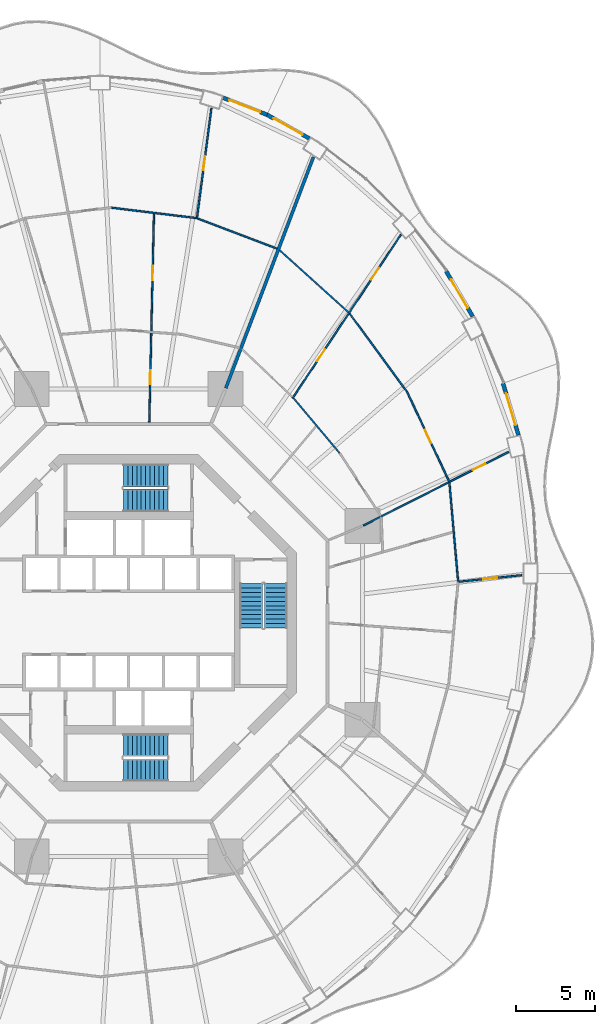
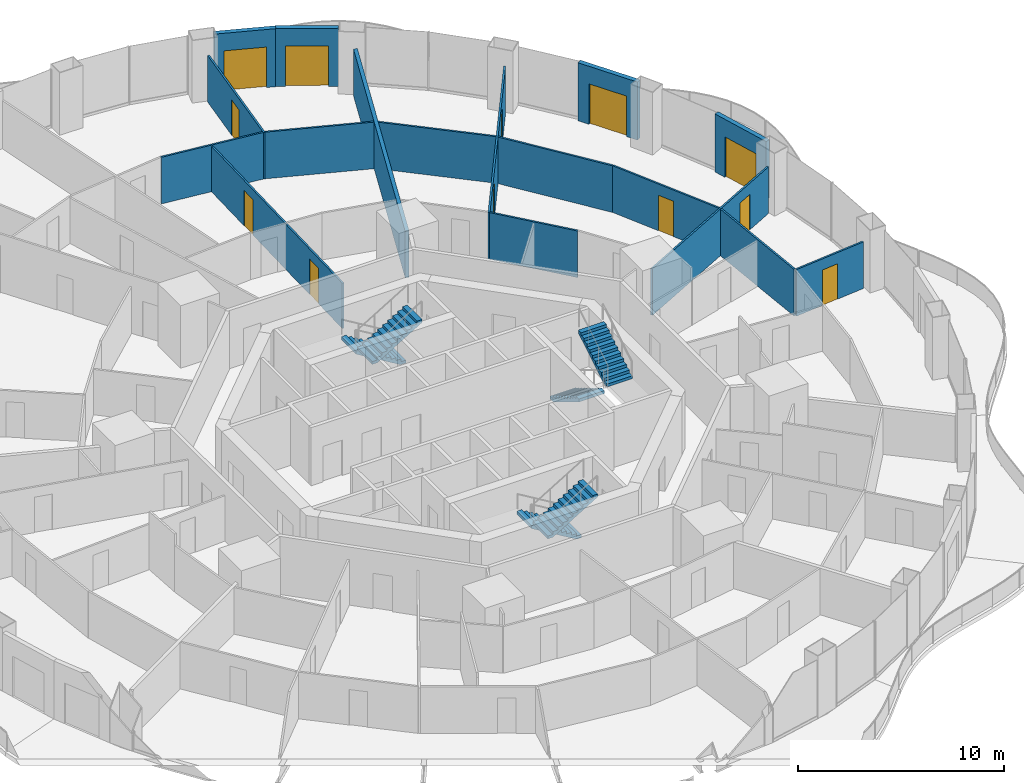
# One storey, part 19 of 22: 17 walls, 12 doors, 6 stair flights, 12 openings, 3 elements without a shape of their own.
"""IFC4 building model written with IfcOpenShell, lengths in metres."""

from ifc_helpers import new_model, si_unit, direction, frame, frame_2d, origin, place, context, subcontext, project, spatial, polyline, rectangle, outline, extrude, material, layer, layer_set, type_object, element, fill, aggregate, save


model = new_model("IFC4")

# Units and contexts
model_context = context("Model", 3, precision=1e-05, world=origin(), true_north=direction((0.0, 1.0)))
body_context = subcontext(model_context, "Body", "Model", "MODEL_VIEW")
ifc_project = project(units=[si_unit("LENGTHUNIT", "METRE"), si_unit("AREAUNIT", "SQUARE_METRE"), si_unit("VOLUMEUNIT", "CUBIC_METRE"), si_unit("PLANEANGLEUNIT", "RADIAN"), si_unit("MASSUNIT", "GRAM", prefix="KILO")], contexts=[model_context])

# Site, building, storey
site_placement = place(None, origin())
site = spatial("IfcSite", under=ifc_project, at=site_placement, CompositionType="ELEMENT")
building_placement = place(site_placement, origin())
building = spatial("IfcBuilding", under=site, at=building_placement, Name="Nagisa Residences", CompositionType="ELEMENT")
storey_placement = place(building_placement, frame((0.0, 0.0, 84.39990234375)))
storey = spatial("IfcBuildingStorey", under=building, at=storey_placement, Name="L20", CompositionType="ELEMENT", Elevation=84.39990234375)

# Wall
ifc_material_1 = material(Name="Gypsum board on steel studs", Category="steel")
ifc_layer_1 = layer(ifc_material_1, 0.199951171875)
ifc_layer_set_1 = layer_set([ifc_layer_1], Name="Apartment compartment wall EI60 200")
wall_type_1 = type_object("IfcWallType", Name="Apartment compartment wall EI60 200", PredefinedType="PARTITIONING", material=ifc_layer_set_1)
wall_1_placement = place(storey_placement, frame((6.140625, 14.828857421875, 0.0), z_axis=(0.0, 0.0, 1.0), x_axis=(0.354477134193, 0.935064682968, 0.0)))
element("IfcWall", 1, at=wall_1_placement, inside=storey, type_object=wall_type_1, Name="wall:L20:u01", PredefinedType="PARTITIONING", context=body_context, shape_type="SweptSolid", body=[
    extrude(rectangle(XDim=15.6259765625, YDim=0.199951171875, at=frame_2d((7.81298828125, 0.0))), origin(), (0.0, 0.0, 1.0), 2.76220703125),
])

# Wall, opening, door
ifc_material_2 = material(Name="Gypsum board on steel studs", Category="steel")
ifc_layer_2 = layer(ifc_material_2, 0.10009765625)
ifc_layer_set_2 = layer_set([ifc_layer_2], Name="Apartment partition 100")
wall_type_2 = type_object("IfcWallType", Name="Apartment partition 100", PredefinedType="PARTITIONING", material=ifc_layer_set_2)
wall_2_placement = place(storey_placement, frame((20.879150390625, 2.597412109375, 0.0), z_axis=(0.0, 0.0, 1.0), x_axis=(0.994666546694, 0.103142914868, 0.0)))
wall_2 = element("IfcWall", 2, at=wall_2_placement, inside=storey, type_object=wall_type_2, Name="wall:L20:u18", PredefinedType="PARTITIONING", context=body_context, shape_type="SweptSolid", body=[
    extrude(rectangle(XDim=3.997802734375, YDim=0.10009765625, at=frame_2d((1.9990234375, 0.0))), origin(), (0.0, 0.0, 1.0), 2.76220703125),
])
opening_1_placement = place(wall_2_placement, frame((1.548828125, 0.0, 0.0)))
opening_1 = element("IfcOpeningElement", 3, at=opening_1_placement, cuts=wall_2, Name="Opening L20-U50", PredefinedType="OPENING", context=body_context, shape_type="SweptSolid", body=[
    extrude(rectangle(XDim=0.89990234375, YDim=2.10009765625, at=frame_2d((0.449951171875, 1.050048828125))), frame((0.0, 0.06005859375, 0.0), z_axis=(0.0, -1.0, 0.0), x_axis=(1.0, 0.0, 0.0)), (0.0, 0.0, 1.0), 0.1201171875),
])
ifc_material_3 = material(Name="Timber door set", Category="wood")
door_type_1 = type_object("IfcDoorType", Name="Apartment door 900x2100", OperationType="NOTDEFINED", PredefinedType="DOOR", material=ifc_material_3)
door_1_placement = place(opening_1_placement, origin())
door_1 = element("IfcDoor", 4, at=door_1_placement, inside=storey, type_object=door_type_1, Name="Door to bedroom, Apartment 20E", OperationType="SINGLE_SWING_RIGHT", OverallHeight=2.10009765625, OverallWidth=0.89990234375, PredefinedType="DOOR", context=body_context, shape_type="SweptSolid", body=[
    extrude(rectangle(XDim=0.89990234375, YDim=2.10009765625, at=frame_2d((0.449951171875, 1.050048828125))), frame((0.0, 0.02490234375, 0.0), z_axis=(0.0, -1.0, 0.0), x_axis=(1.0, 0.0, 0.0)), (0.0, 0.0, 1.0), 0.050048828125),
])
fill(opening_1, door_1)

# Wall
wall_3_placement = place(storey_placement, frame((20.8251953125, 2.64208984375, 0.0), z_axis=(0.0, 0.0, 1.0), x_axis=(-0.08776129045, 0.99614153407, 0.0)))
element("IfcWall", 5, at=wall_3_placement, inside=storey, type_object=wall_type_2, Name="wall:L20:u19", PredefinedType="PARTITIONING", context=body_context, shape_type="SweptSolid", body=[
    extrude(rectangle(XDim=6.237060546875, YDim=0.10009765625, at=frame_2d((3.11865234375, 0.0))), origin(), (0.0, 0.0, 1.0), 2.76220703125),
])

# Wall, opening, door
wall_4_placement = place(storey_placement, frame((14.82666015625, 6.1455078125, 0.0), z_axis=(0.0, 0.0, 1.0), x_axis=(0.892068075337, 0.451901038906, 0.0)))
wall_4 = element("IfcWall", 6, at=wall_4_placement, inside=storey, type_object=wall_type_2, Name="wall:L20:u24", PredefinedType="PARTITIONING", context=body_context, shape_type="SweptSolid", body=[
    extrude(rectangle(XDim=10.31982421875, YDim=0.10009765625, at=frame_2d((5.159912109375, 0.0))), origin(), (0.0, 0.0, 1.0), 2.76220703125),
])
opening_2_placement = place(wall_4_placement, frame((7.762939453125, 0.0, 0.0)))
opening_2 = element("IfcOpeningElement", 7, at=opening_2_placement, cuts=wall_4, Name="Opening L20-U51", PredefinedType="OPENING", context=body_context, shape_type="SweptSolid", body=[
    extrude(rectangle(XDim=0.89990234375, YDim=2.10009765625, at=frame_2d((0.449951171875, 1.050048828125))), frame((0.0, 0.06005859375, 0.0), z_axis=(0.0, -1.0, 0.0), x_axis=(1.0, 0.0, 0.0)), (0.0, 0.0, 1.0), 0.1201171875),
])
door_2_placement = place(opening_2_placement, origin())
door_2 = element("IfcDoor", 8, at=door_2_placement, inside=storey, type_object=door_type_1, Name="Door to family room, Apartment 20E", OperationType="SINGLE_SWING_LEFT", OverallHeight=2.10009765625, OverallWidth=0.89990234375, PredefinedType="DOOR", context=body_context, shape_type="SweptSolid", body=[
    extrude(rectangle(XDim=0.89990234375, YDim=2.10009765625, at=frame_2d((0.449951171875, 1.050048828125))), frame((0.0, 0.02490234375, 0.0), z_axis=(0.0, -1.0, 0.0), x_axis=(1.0, 0.0, 0.0)), (0.0, 0.0, 1.0), 0.050048828125),
])
fill(opening_2, door_2)

wall_5_placement = place(storey_placement, frame((20.252197265625, 8.949951171875, 0.0), z_axis=(0.0, 0.0, 1.0), x_axis=(-0.424580709335, 0.905390093419, 0.0)))
wall_5 = element("IfcWall", 9, at=wall_5_placement, inside=storey, type_object=wall_type_2, Name="wall:L20:u26", PredefinedType="PARTITIONING", context=body_context, shape_type="SweptSolid", body=[
    extrude(rectangle(XDim=6.304443359375, YDim=0.10009765625, at=frame_2d((3.15234375, 0.0))), origin(), (0.0, 0.0, 1.0), 2.76220703125),
])
opening_3_placement = place(wall_5_placement, frame((2.67724609375, 0.0, 0.0)))
opening_3 = element("IfcOpeningElement", 10, at=opening_3_placement, cuts=wall_5, Name="Opening L20-U53", PredefinedType="OPENING", context=body_context, shape_type="SweptSolid", body=[
    extrude(rectangle(XDim=0.89990234375, YDim=2.10009765625, at=frame_2d((0.449951171875, 1.050048828125))), frame((0.0, 0.06005859375, 0.0), z_axis=(0.0, -1.0, 0.0), x_axis=(1.0, 0.0, 0.0)), (0.0, 0.0, 1.0), 0.1201171875),
])
door_3_placement = place(opening_3_placement, origin())
door_3 = element("IfcDoor", 11, at=door_3_placement, inside=storey, type_object=door_type_1, Name="Door to dining room, Apartment 20E", OperationType="SINGLE_SWING_LEFT", OverallHeight=2.10009765625, OverallWidth=0.89990234375, PredefinedType="DOOR", context=body_context, shape_type="SweptSolid", body=[
    extrude(rectangle(XDim=0.89990234375, YDim=2.10009765625, at=frame_2d((0.449951171875, 1.050048828125))), frame((0.0, 0.02490234375, 0.0), z_axis=(0.0, -1.0, 0.0), x_axis=(1.0, 0.0, 0.0)), (0.0, 0.0, 1.0), 0.050048828125),
])
fill(opening_3, door_3)

# Walls
wall_6_placement = place(storey_placement, frame((13.339111328125, 10.724853515625, 0.0), z_axis=(0.0, 0.0, 1.0), x_axis=(-0.642515455924, 0.766272724882, 0.0)))
element("IfcWall", 12, at=wall_6_placement, inside=storey, type_object=wall_type_2, Name="wall:L20:u27", PredefinedType="PARTITIONING", context=body_context, shape_type="SweptSolid", body=[
    extrude(rectangle(XDim=4.537353515625, YDim=0.10009765625, at=frame_2d((2.2685546875, 0.0))), origin(), (0.0, 0.0, 1.0), 2.76220703125),
])
wall_7_placement = place(storey_placement, frame((17.567138671875, 14.65283203125, 0.0), z_axis=(0.0, 0.0, 1.0), x_axis=(-0.592391983588, 0.80564988536, 0.0)))
element("IfcWall", 13, at=wall_7_placement, inside=storey, type_object=wall_type_2, Name="wall:L20:u28", PredefinedType="PARTITIONING", context=body_context, shape_type="SweptSolid", body=[
    extrude(rectangle(XDim=6.080078125, YDim=0.10009765625, at=frame_2d((3.0400390625, 0.0))), origin(), (0.0, 0.0, 1.0), 2.76220703125),
])

# Wall, openings, doors
wall_8_placement = place(storey_placement, frame((10.3642578125, 14.1982421875, 0.0), z_axis=(0.0, 0.0, 1.0), x_axis=(0.552104552927, 0.833774887267, 0.0)))
wall_8 = element("IfcWall", 14, at=wall_8_placement, inside=storey, type_object=wall_type_2, Name="wall:L20:u30", PredefinedType="PARTITIONING", context=body_context, shape_type="SweptSolid", body=[
    extrude(rectangle(XDim=12.40673828125, YDim=0.10009765625, at=frame_2d((6.203369140625, 0.0))), origin(), (0.0, 0.0, 1.0), 2.76220703125),
])
opening_4_placement = place(wall_8_placement, frame((8.98779296875, 0.0, 0.0)))
opening_4 = element("IfcOpeningElement", 15, at=opening_4_placement, cuts=wall_8, Name="Opening L20-U52", PredefinedType="OPENING", context=body_context, shape_type="SweptSolid", body=[
    extrude(rectangle(XDim=0.89990234375, YDim=2.10009765625, at=frame_2d((0.449951171875, 1.050048828125))), frame((0.0, 0.06005859375, 0.0), z_axis=(0.0, -1.0, 0.0), x_axis=(1.0, 0.0, 0.0)), (0.0, 0.0, 1.0), 0.1201171875),
])
opening_5_placement = place(wall_8_placement, frame((2.809326171875, 0.0, 0.0)))
opening_5 = element("IfcOpeningElement", 16, at=opening_5_placement, cuts=wall_8, Name="Opening L20-U54", PredefinedType="OPENING", context=body_context, shape_type="SweptSolid", body=[
    extrude(rectangle(XDim=0.89990234375, YDim=2.10009765625, at=frame_2d((0.449951171875, 1.050048828125))), frame((0.0, 0.06005859375, 0.0), z_axis=(0.0, -1.0, 0.0), x_axis=(1.0, 0.0, 0.0)), (0.0, 0.0, 1.0), 0.1201171875),
])
door_4_placement = place(opening_4_placement, origin())
door_4 = element("IfcDoor", 17, at=door_4_placement, inside=storey, type_object=door_type_1, Name="Door to master bedroom, Apartment 20E", OperationType="SINGLE_SWING_RIGHT", OverallHeight=2.10009765625, OverallWidth=0.89990234375, PredefinedType="DOOR", context=body_context, shape_type="SweptSolid", body=[
    extrude(rectangle(XDim=0.89990234375, YDim=2.10009765625, at=frame_2d((0.449951171875, 1.050048828125))), frame((0.0, 0.02490234375, 0.0), z_axis=(0.0, -1.0, 0.0), x_axis=(1.0, 0.0, 0.0)), (0.0, 0.0, 1.0), 0.050048828125),
])
fill(opening_4, door_4)
door_5_placement = place(opening_5_placement, origin())
door_5 = element("IfcDoor", 18, at=door_5_placement, inside=storey, type_object=door_type_1, Name="Door to kitchen, Apartment 20E", OperationType="SINGLE_SWING_RIGHT", OverallHeight=2.10009765625, OverallWidth=0.89990234375, PredefinedType="DOOR", context=body_context, shape_type="SweptSolid", body=[
    extrude(rectangle(XDim=0.89990234375, YDim=2.10009765625, at=frame_2d((0.449951171875, 1.050048828125))), frame((0.0, 0.02490234375, 0.0), z_axis=(0.0, -1.0, 0.0), x_axis=(1.0, 0.0, 0.0)), (0.0, 0.0, 1.0), 0.050048828125),
])
fill(opening_5, door_5)

# Walls
wall_9_placement = place(storey_placement, frame((13.8984375, 19.625244140625, 0.0), z_axis=(0.0, 0.0, 1.0), x_axis=(-0.742396654702, 0.669960601146, 0.0)))
element("IfcWall", 19, at=wall_9_placement, inside=storey, type_object=wall_type_2, Name="wall:L20:u32", PredefinedType="PARTITIONING", context=body_context, shape_type="SweptSolid", body=[
    extrude(rectangle(XDim=5.861083984375, YDim=0.10009765625, at=frame_2d((2.9306640625, 0.0))), origin(), (0.0, 0.0, 1.0), 2.76220703125),
])
wall_10_placement = place(storey_placement, frame((9.37939453125, 23.654541015625, 0.0), z_axis=(0.0, 0.0, 1.0), x_axis=(-0.934613076136, 0.355666132653, 0.0)))
element("IfcWall", 20, at=wall_10_placement, inside=storey, type_object=wall_type_2, Name="wall:L20:u34", PredefinedType="PARTITIONING", context=body_context, shape_type="SweptSolid", body=[
    extrude(rectangle(XDim=5.366455078125, YDim=0.10009765625, at=frame_2d((2.68310546875, 0.0))), origin(), (0.0, 0.0, 1.0), 2.76220703125),
])

# Wall, opening, door
wall_11_placement = place(storey_placement, frame((4.310546875, 25.531494140625, 0.0), z_axis=(0.0, 0.0, 1.0), x_axis=(0.130604008227, 0.991434613595, 0.0)))
wall_11 = element("IfcWall", 21, at=wall_11_placement, inside=storey, type_object=wall_type_2, Name="wall:L20:u36", PredefinedType="PARTITIONING", context=body_context, shape_type="SweptSolid", body=[
    extrude(rectangle(XDim=7.054931640625, YDim=0.10009765625, at=frame_2d((3.52734375, 0.0))), origin(), (0.0, 0.0, 1.0), 2.76220703125),
])
opening_6_placement = place(wall_11_placement, frame((3.102294921875, 0.0, 0.0)))
opening_6 = element("IfcOpeningElement", 22, at=opening_6_placement, cuts=wall_11, Name="Opening L20-U16", PredefinedType="OPENING", context=body_context, shape_type="SweptSolid", body=[
    extrude(rectangle(XDim=0.89990234375, YDim=2.10009765625, at=frame_2d((0.449951171875, 1.050048828125))), frame((0.0, 0.06005859375, 0.0), z_axis=(0.0, -1.0, 0.0), x_axis=(1.0, 0.0, 0.0)), (0.0, 0.0, 1.0), 0.1201171875),
])
door_6_placement = place(opening_6_placement, frame((0.89990234375, 0.0, 0.0), x_axis=(-1.0, 0.0, 0.0)))
door_6 = element("IfcDoor", 23, at=door_6_placement, inside=storey, type_object=door_type_1, Name="Door to living room, Apartment 20A", OperationType="SINGLE_SWING_LEFT", OverallHeight=2.10009765625, OverallWidth=0.89990234375, PredefinedType="DOOR", context=body_context, shape_type="SweptSolid", body=[
    extrude(rectangle(XDim=0.89990234375, YDim=2.10009765625, at=frame_2d((0.449951171875, 1.050048828125))), frame((0.0, 0.02490234375, 0.0), z_axis=(0.0, -1.0, 0.0), x_axis=(1.0, 0.0, 0.0)), (0.0, 0.0, 1.0), 0.050048828125),
])
fill(opening_6, door_6)

# Wall
wall_12_placement = place(storey_placement, frame((4.267333984375, 25.587158203125, 0.0), z_axis=(0.0, 0.0, 1.0), x_axis=(-0.992576206119, 0.121624319302, 0.0)))
element("IfcWall", 24, at=wall_12_placement, inside=storey, type_object=wall_type_2, Name="wall:L20:u37", PredefinedType="PARTITIONING", context=body_context, shape_type="SweptSolid", body=[
    extrude(rectangle(XDim=5.37353515625, YDim=0.10009765625, at=frame_2d((2.686767578125, 0.0))), origin(), (0.0, 0.0, 1.0), 2.76220703125),
])

# Wall, openings, doors
wall_13_placement = place(storey_placement, frame((1.303466796875, 12.664794921875, 0.0), z_axis=(0.0, 0.0, 1.0), x_axis=(0.022412244057, 0.999748814111, 0.0)))
wall_13 = element("IfcWall", 25, at=wall_13_placement, inside=storey, type_object=wall_type_2, Name="wall:L20:u38", PredefinedType="PARTITIONING", context=body_context, shape_type="SweptSolid", body=[
    extrude(rectangle(XDim=13.20263671875, YDim=0.10009765625, at=frame_2d((6.601318359375, 0.0))), origin(), (0.0, 0.0, 1.0), 2.68701171875),
])
opening_7_placement = place(wall_13_placement, frame((2.407470703125, 0.0, 0.0)))
opening_7 = element("IfcOpeningElement", 26, at=opening_7_placement, cuts=wall_13, Name="Opening L20-U14", PredefinedType="OPENING", context=body_context, shape_type="SweptSolid", body=[
    extrude(rectangle(XDim=0.89990234375, YDim=2.10009765625, at=frame_2d((0.449951171875, 1.050048828125))), frame((0.0, 0.06005859375, 0.0), z_axis=(0.0, -1.0, 0.0), x_axis=(1.0, 0.0, 0.0)), (0.0, 0.0, 1.0), 0.1201171875),
])
opening_8_placement = place(wall_13_placement, frame((9.0087890625, 0.0, 0.0)))
opening_8 = element("IfcOpeningElement", 27, at=opening_8_placement, cuts=wall_13, Name="Opening L20-U15", PredefinedType="OPENING", context=body_context, shape_type="SweptSolid", body=[
    extrude(rectangle(XDim=0.89990234375, YDim=2.10009765625, at=frame_2d((0.449951171875, 1.050048828125))), frame((0.0, 0.06005859375, 0.0), z_axis=(0.0, -1.0, 0.0), x_axis=(1.0, 0.0, 0.0)), (0.0, 0.0, 1.0), 0.1201171875),
])
door_7_placement = place(opening_7_placement, frame((0.89990234375, 0.0, 0.0), x_axis=(-1.0, 0.0, 0.0)))
door_7 = element("IfcDoor", 28, at=door_7_placement, inside=storey, type_object=door_type_1, Name="Door to laundry, Apartment 20A", OperationType="SINGLE_SWING_LEFT", OverallHeight=2.10009765625, OverallWidth=0.89990234375, PredefinedType="DOOR", context=body_context, shape_type="SweptSolid", body=[
    extrude(rectangle(XDim=0.89990234375, YDim=2.10009765625, at=frame_2d((0.449951171875, 1.050048828125))), frame((0.0, 0.02490234375, 0.0), z_axis=(0.0, -1.0, 0.0), x_axis=(1.0, 0.0, 0.0)), (0.0, 0.0, 1.0), 0.050048828125),
])
fill(opening_7, door_7)
door_8_placement = place(opening_8_placement, frame((0.89990234375, 0.0, 0.0), x_axis=(-1.0, 0.0, 0.0)))
door_8 = element("IfcDoor", 29, at=door_8_placement, inside=storey, type_object=door_type_1, Name="Door to dining room, Apartment 20A", OperationType="SINGLE_SWING_RIGHT", OverallHeight=2.10009765625, OverallWidth=0.89990234375, PredefinedType="DOOR", context=body_context, shape_type="SweptSolid", body=[
    extrude(rectangle(XDim=0.89990234375, YDim=2.10009765625, at=frame_2d((0.449951171875, 1.050048828125))), frame((0.0, 0.02490234375, 0.0), z_axis=(0.0, -1.0, 0.0), x_axis=(1.0, 0.0, 0.0)), (0.0, 0.0, 1.0), 0.050048828125),
])
fill(opening_8, door_8)

# Wall, opening, door
ifc_material_4 = material(Name="Precast concrete C40/50", Category="concrete")
ifc_layer_3 = layer(ifc_material_4, 0.25)
ifc_layer_set_3 = layer_set([ifc_layer_3], Name="BALCONY DOOR WALL 250")
wall_type_3 = type_object("IfcWallType", Name="BALCONY DOOR WALL 250", PredefinedType="SOLIDWALL", material=ifc_layer_set_3)
wall_14_placement = place(storey_placement, frame((23.6669921875, 15.142333984375, 0.0), z_axis=(0.0, 0.0, 1.0), x_axis=(0.285882094477, -0.958264800594, 0.0)))
wall_14 = element("IfcWall", 30, at=wall_14_placement, inside=storey, type_object=wall_type_3, Name="wall:L20:bay02", PredefinedType="SOLIDWALL", context=body_context, shape_type="SweptSolid", body=[
    extrude(rectangle(XDim=3.423583984375, YDim=0.25, at=frame_2d((1.7119140625, 0.0))), origin(), (0.0, 0.0, 1.0), 3.440185546875),
])
opening_9_placement = place(wall_14_placement, frame((0.661865234375, 0.0, 0.0)))
opening_9 = element("IfcOpeningElement", 31, at=opening_9_placement, cuts=wall_14, Name="Opening BD-L20-01", PredefinedType="OPENING", context=body_context, shape_type="SweptSolid", body=[
    extrude(rectangle(XDim=2.10009765625, YDim=2.39990234375, at=frame_2d((1.050048828125, 1.199951171875))), frame((0.0, 0.135009765625, 0.0), z_axis=(0.0, -1.0, 0.0), x_axis=(1.0, 0.0, 0.0)), (0.0, 0.0, 1.0), 0.27001953125),
])
ifc_material_5 = material(Name="Aluminium and clear glass", Category="aluminium")
door_type_2 = type_object("IfcDoorType", Name="BALCONY SLIDING DOOR 2100x2400", OperationType="SLIDING_TO_LEFT", PredefinedType="DOOR", material=ifc_material_5)
door_9_placement = place(opening_9_placement, origin())
door_9 = element("IfcDoor", 32, at=door_9_placement, inside=storey, type_object=door_type_2, Name="door:L20:bay02", OperationType="SLIDING_TO_LEFT", OverallHeight=2.39990234375, OverallWidth=2.10009765625, PredefinedType="DOOR", context=body_context, shape_type="SweptSolid", body=[
    extrude(rectangle(XDim=2.10009765625, YDim=2.39990234375, at=frame_2d((1.050048828125, 1.199951171875))), frame((0.0, 0.02490234375, 0.0), z_axis=(0.0, -1.0, 0.0), x_axis=(1.0, 0.0, 0.0)), (0.0, 0.0, 1.0), 0.050048828125),
])
fill(opening_9, door_9)

wall_15_placement = place(storey_placement, frame((20.064208984375, 22.239501953125, 0.0), z_axis=(0.0, 0.0, 1.0), x_axis=(0.506297921217, -0.862358634775, 0.0)))
wall_15 = element("IfcWall", 33, at=wall_15_placement, inside=storey, type_object=wall_type_3, Name="wall:L20:bay04", PredefinedType="SOLIDWALL", context=body_context, shape_type="SweptSolid", body=[
    extrude(rectangle(XDim=3.32470703125, YDim=0.25, at=frame_2d((1.662353515625, 0.0))), origin(), (0.0, 0.0, 1.0), 3.440185546875),
])
opening_10_placement = place(wall_15_placement, frame((0.6123046875, 0.0, 0.0)))
opening_10 = element("IfcOpeningElement", 34, at=opening_10_placement, cuts=wall_15, Name="Opening BD-L20-02", PredefinedType="OPENING", context=body_context, shape_type="SweptSolid", body=[
    extrude(rectangle(XDim=2.10009765625, YDim=2.39990234375, at=frame_2d((1.050048828125, 1.199951171875))), frame((0.0, 0.135009765625, 0.0), z_axis=(0.0, -1.0, 0.0), x_axis=(1.0, 0.0, 0.0)), (0.0, 0.0, 1.0), 0.27001953125),
])
door_10_placement = place(opening_10_placement, origin())
door_10 = element("IfcDoor", 35, at=door_10_placement, inside=storey, type_object=door_type_2, Name="door:L20:bay04", OperationType="SLIDING_TO_LEFT", OverallHeight=2.39990234375, OverallWidth=2.10009765625, PredefinedType="DOOR", context=body_context, shape_type="SweptSolid", body=[
    extrude(rectangle(XDim=2.10009765625, YDim=2.39990234375, at=frame_2d((1.050048828125, 1.199951171875))), frame((0.0, 0.02490234375, 0.0), z_axis=(0.0, -1.0, 0.0), x_axis=(1.0, 0.0, 0.0)), (0.0, 0.0, 1.0), 0.050048828125),
])
fill(opening_10, door_10)

wall_16_placement = place(storey_placement, frame((8.7373046875, 32.124755859375, 0.0), z_axis=(0.0, 0.0, 1.0), x_axis=(0.872071158476, -0.489379090843, 0.0)))
wall_16 = element("IfcWall", 36, at=wall_16_placement, inside=storey, type_object=wall_type_3, Name="wall:L20:bay08", PredefinedType="SOLIDWALL", context=body_context, shape_type="SweptSolid", body=[
    extrude(rectangle(XDim=3.07568359375, YDim=0.25, at=frame_2d((1.537841796875, 0.0))), origin(), (0.0, 0.0, 1.0), 3.440185546875),
])
opening_11_placement = place(wall_16_placement, frame((0.48779296875, 0.0, 0.0)))
opening_11 = element("IfcOpeningElement", 37, at=opening_11_placement, cuts=wall_16, Name="Opening BD-L20-03", PredefinedType="OPENING", context=body_context, shape_type="SweptSolid", body=[
    extrude(rectangle(XDim=2.10009765625, YDim=2.39990234375, at=frame_2d((1.050048828125, 1.199951171875))), frame((0.0, 0.135009765625, 0.0), z_axis=(0.0, -1.0, 0.0), x_axis=(1.0, 0.0, 0.0)), (0.0, 0.0, 1.0), 0.27001953125),
])
door_11_placement = place(opening_11_placement, origin())
door_11 = element("IfcDoor", 38, at=door_11_placement, inside=storey, type_object=door_type_2, Name="door:L20:bay08", OperationType="SLIDING_TO_LEFT", OverallHeight=2.39990234375, OverallWidth=2.10009765625, PredefinedType="DOOR", context=body_context, shape_type="SweptSolid", body=[
    extrude(rectangle(XDim=2.10009765625, YDim=2.39990234375, at=frame_2d((1.050048828125, 1.199951171875))), frame((0.0, 0.02490234375, 0.0), z_axis=(0.0, -1.0, 0.0), x_axis=(1.0, 0.0, 0.0)), (0.0, 0.0, 1.0), 0.050048828125),
])
fill(opening_11, door_11)

wall_17_placement = place(storey_placement, frame((5.92919921875, 33.2080078125, 0.0), z_axis=(0.0, 0.0, 1.0), x_axis=(0.932837560624, -0.360297218263, 0.0)))
wall_17 = element("IfcWall", 39, at=wall_17_placement, inside=storey, type_object=wall_type_3, Name="wall:L20:bay09", PredefinedType="SOLIDWALL", context=body_context, shape_type="SweptSolid", body=[
    extrude(rectangle(XDim=3.027587890625, YDim=0.25, at=frame_2d((1.513671875, 0.0))), origin(), (0.0, 0.0, 1.0), 3.440185546875),
])
opening_12_placement = place(wall_17_placement, frame((0.463623046875, 0.0, 0.0)))
opening_12 = element("IfcOpeningElement", 40, at=opening_12_placement, cuts=wall_17, Name="Opening BD-L20-04", PredefinedType="OPENING", context=body_context, shape_type="SweptSolid", body=[
    extrude(rectangle(XDim=2.10009765625, YDim=2.39990234375, at=frame_2d((1.050048828125, 1.199951171875))), frame((0.0, 0.135009765625, 0.0), z_axis=(0.0, -1.0, 0.0), x_axis=(1.0, 0.0, 0.0)), (0.0, 0.0, 1.0), 0.27001953125),
])
door_12_placement = place(opening_12_placement, origin())
door_12 = element("IfcDoor", 41, at=door_12_placement, inside=storey, type_object=door_type_2, Name="door:L20:bay09", OperationType="SLIDING_TO_LEFT", OverallHeight=2.39990234375, OverallWidth=2.10009765625, PredefinedType="DOOR", context=body_context, shape_type="SweptSolid", body=[
    extrude(rectangle(XDim=2.10009765625, YDim=2.39990234375, at=frame_2d((1.050048828125, 1.199951171875))), frame((0.0, 0.02490234375, 0.0), z_axis=(0.0, -1.0, 0.0), x_axis=(1.0, 0.0, 0.0)), (0.0, 0.0, 1.0), 0.050048828125),
])
fill(opening_12, door_12)

# Stair, stair flights
ifc_material_6 = material(Name="Concrete C60", Category="concrete")
stair_type = type_object("IfcStairType", Name="Exit stair", PredefinedType="HALF_TURN_STAIR", material=ifc_material_6)
stair_1_placement = place(storey_placement, origin())
stair_1 = element("IfcStair", 42, at=stair_1_placement, inside=storey, type_object=stair_type, Name="L20 Exit stair E", PredefinedType="HALF_TURN_STAIR")
ifc_material_7 = material(Name="Concrete C60", Category="concrete")
stair_flight_type = type_object("IfcStairFlightType", Name="Exit stair flight", PredefinedType="STRAIGHT", material=ifc_material_7)
stair_flight_1_placement = place(storey_placement, frame((7.737060546875, 2.47509765625, 0.0), z_axis=(0.0, 0.0, 1.0), x_axis=(0.0, -1.0, 0.0)))
stair_flight_1 = element("IfcStairFlight", 43, at=stair_flight_1_placement, type_object=stair_flight_type, Name="ST-E flight 1", NumberOfRisers=11, NumberOfTreads=10, PredefinedType="STRAIGHT", RiserHeight=0.168181818, TreadLength=0.28, context=body_context, shape_type="SweptSolid", body=[
    extrude(outline(polyline([(0.0, 0.0), (0.0, 0.168212890625), (0.280029296875, 0.168212890625), (0.280029296875, 0.33642578125), (0.56005859375, 0.33642578125), (0.56005859375, 0.504638671875), (0.840087890625, 0.504638671875), (0.840087890625, 0.672607421875), (1.1201171875, 0.672607421875), (1.1201171875, 0.8408203125), (1.39990234375, 0.8408203125), (1.39990234375, 1.009033203125), (1.679931640625, 1.009033203125), (1.679931640625, 1.17724609375), (1.9599609375, 1.17724609375), (1.9599609375, 1.345458984375), (2.239990234375, 1.345458984375), (2.239990234375, 1.513671875), (2.52001953125, 1.513671875), (2.52001953125, 1.681884765625), (2.800048828125, 1.681884765625), (2.800048828125, 1.85009765625), (2.800048828125, 1.5068359375), (0.291015625, 0.0), (0.0, 0.0)])), frame((0.0, 0.71240234375, 0.0), z_axis=(0.0, -1.0, 0.0), x_axis=(1.0, 0.0, 0.0)), (0.0, 0.0, 1.0), 1.425048828125),
])
stair_flight_2_placement = place(storey_placement, frame((9.31201171875, -0.324951171875, 1.85009765625), z_axis=(0.0, 0.0, 1.0), x_axis=(0.0, 1.0, 0.0)))
stair_flight_2 = element("IfcStairFlight", 44, at=stair_flight_2_placement, type_object=stair_flight_type, Name="ST-E flight 2", NumberOfRisers=11, NumberOfTreads=10, PredefinedType="STRAIGHT", RiserHeight=0.168181818, TreadLength=0.28, context=body_context, shape_type="SweptSolid", body=[
    extrude(outline(polyline([(0.0, 0.0), (0.0, 0.168212890625), (0.280029296875, 0.168212890625), (0.280029296875, 0.33642578125), (0.56005859375, 0.33642578125), (0.56005859375, 0.504638671875), (0.840087890625, 0.504638671875), (0.840087890625, 0.672607421875), (1.1201171875, 0.672607421875), (1.1201171875, 0.8408203125), (1.39990234375, 0.8408203125), (1.39990234375, 1.009033203125), (1.679931640625, 1.009033203125), (1.679931640625, 1.17724609375), (1.9599609375, 1.17724609375), (1.9599609375, 1.345458984375), (2.239990234375, 1.345458984375), (2.239990234375, 1.513671875), (2.52001953125, 1.513671875), (2.52001953125, 1.681884765625), (2.800048828125, 1.681884765625), (2.800048828125, 1.85009765625), (2.800048828125, 1.5068359375), (0.291015625, 0.0), (0.0, 0.0)])), frame((0.0, 0.71240234375, 0.0), z_axis=(0.0, -1.0, 0.0), x_axis=(1.0, 0.0, 0.0)), (0.0, 0.0, 1.0), 1.425048828125),
])
aggregate(stair_1, [stair_flight_1, stair_flight_2])

stair_2_placement = place(storey_placement, origin())
stair_2 = element("IfcStair", 45, at=stair_2_placement, inside=storey, type_object=stair_type, Name="L20 Exit stair N", PredefinedType="HALF_TURN_STAIR")
stair_flight_3_placement = place(storey_placement, frame((2.47509765625, 9.31201171875, 0.0), z_axis=(0.0, 0.0, 1.0), x_axis=(-1.0, 0.0, 0.0)))
stair_flight_3 = element("IfcStairFlight", 46, at=stair_flight_3_placement, type_object=stair_flight_type, Name="ST-N flight 1", NumberOfRisers=11, NumberOfTreads=10, PredefinedType="STRAIGHT", RiserHeight=0.168181818, TreadLength=0.28, context=body_context, shape_type="SweptSolid", body=[
    extrude(outline(polyline([(0.0, 0.0), (0.0, 0.168212890625), (0.280029296875, 0.168212890625), (0.280029296875, 0.33642578125), (0.56005859375, 0.33642578125), (0.56005859375, 0.504638671875), (0.840087890625, 0.504638671875), (0.840087890625, 0.672607421875), (1.1201171875, 0.672607421875), (1.1201171875, 0.8408203125), (1.39990234375, 0.8408203125), (1.39990234375, 1.009033203125), (1.679931640625, 1.009033203125), (1.679931640625, 1.17724609375), (1.9599609375, 1.17724609375), (1.9599609375, 1.345458984375), (2.239990234375, 1.345458984375), (2.239990234375, 1.513671875), (2.52001953125, 1.513671875), (2.52001953125, 1.681884765625), (2.800048828125, 1.681884765625), (2.800048828125, 1.85009765625), (2.800048828125, 1.5068359375), (0.291015625, 0.0), (0.0, 0.0)])), frame((0.0, 0.71240234375, 0.0), z_axis=(0.0, -1.0, 0.0), x_axis=(1.0, 0.0, 0.0)), (0.0, 0.0, 1.0), 1.425048828125),
])
stair_flight_4_placement = place(storey_placement, frame((-0.324951171875, 7.737060546875, 1.85009765625), z_axis=(0.0, 0.0, 1.0), x_axis=(1.0, 0.0, 0.0)))
stair_flight_4 = element("IfcStairFlight", 47, at=stair_flight_4_placement, type_object=stair_flight_type, Name="ST-N flight 2", NumberOfRisers=11, NumberOfTreads=10, PredefinedType="STRAIGHT", RiserHeight=0.168181818, TreadLength=0.28, context=body_context, shape_type="SweptSolid", body=[
    extrude(outline(polyline([(0.0, 0.0), (0.0, 0.168212890625), (0.280029296875, 0.168212890625), (0.280029296875, 0.33642578125), (0.56005859375, 0.33642578125), (0.56005859375, 0.504638671875), (0.840087890625, 0.504638671875), (0.840087890625, 0.672607421875), (1.1201171875, 0.672607421875), (1.1201171875, 0.8408203125), (1.39990234375, 0.8408203125), (1.39990234375, 1.009033203125), (1.679931640625, 1.009033203125), (1.679931640625, 1.17724609375), (1.9599609375, 1.17724609375), (1.9599609375, 1.345458984375), (2.239990234375, 1.345458984375), (2.239990234375, 1.513671875), (2.52001953125, 1.513671875), (2.52001953125, 1.681884765625), (2.800048828125, 1.681884765625), (2.800048828125, 1.85009765625), (2.800048828125, 1.5068359375), (0.291015625, 0.0), (0.0, 0.0)])), frame((0.0, 0.71240234375, 0.0), z_axis=(0.0, -1.0, 0.0), x_axis=(1.0, 0.0, 0.0)), (0.0, 0.0, 1.0), 1.425048828125),
])
aggregate(stair_2, [stair_flight_3, stair_flight_4])

stair_3_placement = place(storey_placement, origin())
stair_3 = element("IfcStair", 48, at=stair_3_placement, inside=storey, type_object=stair_type, Name="L20 Exit stair S", PredefinedType="HALF_TURN_STAIR")
stair_flight_5_placement = place(storey_placement, frame((2.47509765625, -7.737060546875, 0.0), z_axis=(0.0, 0.0, 1.0), x_axis=(-1.0, 0.0, 0.0)))
stair_flight_5 = element("IfcStairFlight", 49, at=stair_flight_5_placement, type_object=stair_flight_type, Name="ST-S flight 1", NumberOfRisers=11, NumberOfTreads=10, PredefinedType="STRAIGHT", RiserHeight=0.168181818, TreadLength=0.28, context=body_context, shape_type="SweptSolid", body=[
    extrude(outline(polyline([(0.0, 0.0), (0.0, 0.168212890625), (0.280029296875, 0.168212890625), (0.280029296875, 0.33642578125), (0.56005859375, 0.33642578125), (0.56005859375, 0.504638671875), (0.840087890625, 0.504638671875), (0.840087890625, 0.672607421875), (1.1201171875, 0.672607421875), (1.1201171875, 0.8408203125), (1.39990234375, 0.8408203125), (1.39990234375, 1.009033203125), (1.679931640625, 1.009033203125), (1.679931640625, 1.17724609375), (1.9599609375, 1.17724609375), (1.9599609375, 1.345458984375), (2.239990234375, 1.345458984375), (2.239990234375, 1.513671875), (2.52001953125, 1.513671875), (2.52001953125, 1.681884765625), (2.800048828125, 1.681884765625), (2.800048828125, 1.85009765625), (2.800048828125, 1.5068359375), (0.291015625, 0.0), (0.0, 0.0)])), frame((0.0, 0.71240234375, 0.0), z_axis=(0.0, -1.0, 0.0), x_axis=(1.0, 0.0, 0.0)), (0.0, 0.0, 1.0), 1.425048828125),
])
stair_flight_6_placement = place(storey_placement, frame((-0.324951171875, -9.31201171875, 1.85009765625), z_axis=(0.0, 0.0, 1.0), x_axis=(1.0, 0.0, 0.0)))
stair_flight_6 = element("IfcStairFlight", 50, at=stair_flight_6_placement, type_object=stair_flight_type, Name="ST-S flight 2", NumberOfRisers=11, NumberOfTreads=10, PredefinedType="STRAIGHT", RiserHeight=0.168181818, TreadLength=0.28, context=body_context, shape_type="SweptSolid", body=[
    extrude(outline(polyline([(0.0, 0.0), (0.0, 0.168212890625), (0.280029296875, 0.168212890625), (0.280029296875, 0.33642578125), (0.56005859375, 0.33642578125), (0.56005859375, 0.504638671875), (0.840087890625, 0.504638671875), (0.840087890625, 0.672607421875), (1.1201171875, 0.672607421875), (1.1201171875, 0.8408203125), (1.39990234375, 0.8408203125), (1.39990234375, 1.009033203125), (1.679931640625, 1.009033203125), (1.679931640625, 1.17724609375), (1.9599609375, 1.17724609375), (1.9599609375, 1.345458984375), (2.239990234375, 1.345458984375), (2.239990234375, 1.513671875), (2.52001953125, 1.513671875), (2.52001953125, 1.681884765625), (2.800048828125, 1.681884765625), (2.800048828125, 1.85009765625), (2.800048828125, 1.5068359375), (0.291015625, 0.0), (0.0, 0.0)])), frame((0.0, 0.71240234375, 0.0), z_axis=(0.0, -1.0, 0.0), x_axis=(1.0, 0.0, 0.0)), (0.0, 0.0, 1.0), 1.425048828125),
])
aggregate(stair_3, [stair_flight_5, stair_flight_6])

save(model, "model.ifc")
